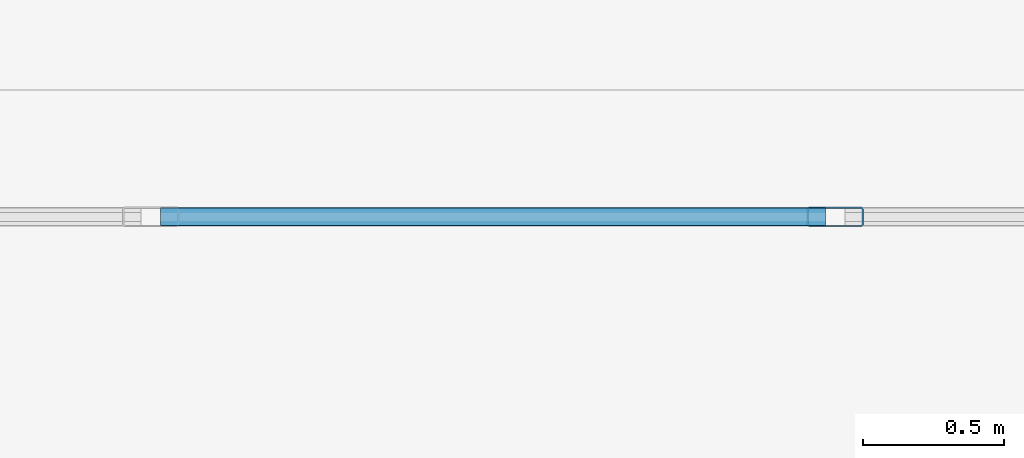
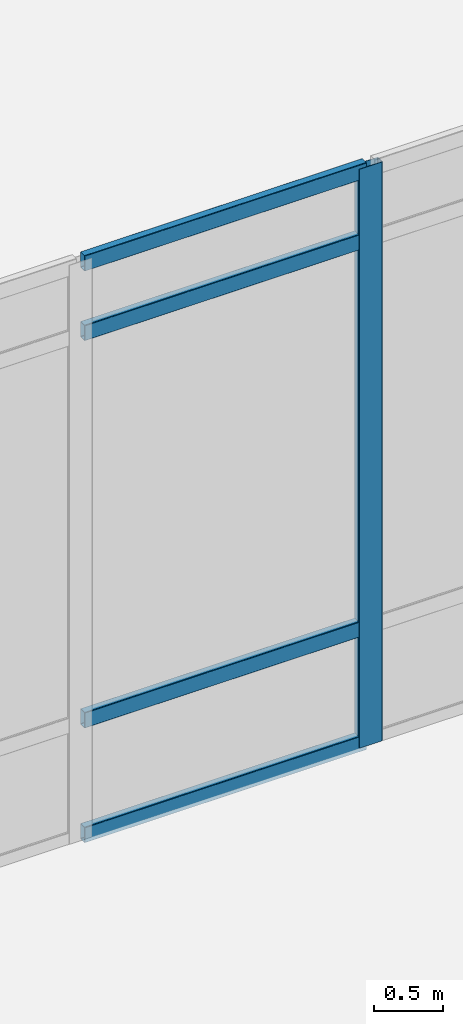
# One storey, part 57 of 165: 5 members, 1 element without a shape of its own.
"""IFC4 building model written with IfcOpenShell, lengths in metres."""

from ifc_helpers import new_model, si_unit, direction, frame, origin, origin_2d, place, context, subcontext, project, spatial, hollow_rectangle, extrude, material, layer, layer_set, material_profile, profile_set, type_object, element, aggregate, save


model = new_model("IFC4")

# Units and contexts
model_context = context("Model", 3, precision=1e-05, world=origin(), true_north=direction((0.0, 1.0)))
body_context = subcontext(model_context, "Body", "Model", "MODEL_VIEW")
ifc_project = project(units=[si_unit("LENGTHUNIT", "METRE"), si_unit("AREAUNIT", "SQUARE_METRE"), si_unit("VOLUMEUNIT", "CUBIC_METRE"), si_unit("PLANEANGLEUNIT", "RADIAN"), si_unit("MASSUNIT", "GRAM", prefix="KILO")], contexts=[model_context])

# Site, building, storey
site_placement = place(None, origin())
site = spatial("IfcSite", under=ifc_project, at=site_placement, CompositionType="ELEMENT")
building_placement = place(site_placement, origin())
building = spatial("IfcBuilding", under=site, at=building_placement, Name="Kazehara Bluff Congress Hotel", CompositionType="ELEMENT")
storey_placement = place(building_placement, origin())
storey = spatial("IfcBuildingStorey", under=building, at=storey_placement, Name="L00", CompositionType="ELEMENT", Elevation=0.0)

# Curtain wall, members
ifc_material_1 = material(Name="Anodised aluminium", Category="aluminium")
ifc_layer = layer(ifc_material_1, 0.159912109375)
ifc_layer_set = layer_set([ifc_layer], Name="Anodised aluminium")
curtain_wall_type = type_object("IfcCurtainWallType", Name="TP-CW-46", PredefinedType="NOTDEFINED", material=ifc_layer_set)
curtain_wall_placement = place(storey_placement, origin())
curtain_wall = element("IfcCurtainWall", 1, at=curtain_wall_placement, inside=storey, type_object=curtain_wall_type, Name="L00 curtain wall CW-46 CW-V5-L00-Y3955-11905", PredefinedType="NOTDEFINED")
ifc_material_2 = material(Name="Anodised aluminium", Category="aluminium")
ifc_material_profile_1 = material_profile(ifc_material_2, hollow_rectangle(XDim=0.070068359375, YDim=0.199951171875, WallThickness=0.0048828125, InnerFilletRadius=0.0048828125, OuterFilletRadius=0.010009765625, at=origin_2d()))
ifc_profile_set_1 = profile_set([ifc_material_profile_1], Name="Anodised aluminium")
member_type_1 = type_object("IfcMemberType", Name="TP-CWM-03", PredefinedType="MULLION", material=ifc_profile_set_1)
member_1_placement = place(storey_placement, frame((123.916748046875, 39.550048828125, 0.0), z_axis=(0.0, 0.0, 1.0), x_axis=(0.0, 1.0, 0.0)))
member_1 = element("IfcMember", 2, at=member_1_placement, type_object=member_type_1, Name="CW-46 mullion 3", PredefinedType="MULLION", context=body_context, shape_type="SweptSolid", body=[
    extrude(hollow_rectangle(XDim=0.070068359375, YDim=0.199951171875, WallThickness=0.0048828125, InnerFilletRadius=0.0048828125, OuterFilletRadius=0.010009765625, at=origin_2d()), origin(), (0.0, 0.0, 1.0), 5.135009765625),
])
ifc_material_3 = material(Name="Anodised aluminium", Category="aluminium")
ifc_material_profile_2 = material_profile(ifc_material_3, hollow_rectangle(XDim=0.06494140625, YDim=0.139892578125, WallThickness=0.00390625, InnerFilletRadius=0.00390625, OuterFilletRadius=0.008056640625, at=origin_2d()))
ifc_profile_set_2 = profile_set([ifc_material_profile_2], Name="Anodised aluminium")
member_type_2 = type_object("IfcMemberType", Name="TP-CWT-02", PredefinedType="USERDEFINED", material=ifc_profile_set_2)
member_2_placement = place(storey_placement, frame((121.518310546875, 39.550048828125, 0.032470703125), z_axis=(1.0, 0.0, 0.0), x_axis=(0.0, 1.0, 0.0)))
member_2 = element("IfcMember", 3, at=member_2_placement, type_object=member_type_2, Name="CW-46 transom 2.1", ObjectType="TRANSOM", PredefinedType="USERDEFINED", context=body_context, shape_type="SweptSolid", body=[
    extrude(hollow_rectangle(XDim=0.06494140625, YDim=0.139892578125, WallThickness=0.00390625, InnerFilletRadius=0.00390625, OuterFilletRadius=0.008056640625, at=origin_2d()), origin(), (0.0, 0.0, 1.0), 2.36328125),
])
member_3_placement = place(storey_placement, frame((121.518310546875, 39.550048828125, 1.050048828125), z_axis=(1.0, 0.0, 0.0), x_axis=(0.0, 1.0, 0.0)))
member_3 = element("IfcMember", 4, at=member_3_placement, type_object=member_type_2, Name="CW-46 transom 2.2", ObjectType="TRANSOM", PredefinedType="USERDEFINED", context=body_context, shape_type="SweptSolid", body=[
    extrude(hollow_rectangle(XDim=0.06494140625, YDim=0.139892578125, WallThickness=0.00390625, InnerFilletRadius=0.00390625, OuterFilletRadius=0.008056640625, at=origin_2d()), origin(), (0.0, 0.0, 1.0), 2.36328125),
])
member_4_placement = place(storey_placement, frame((121.518310546875, 39.550048828125, 4.485107421875), z_axis=(1.0, 0.0, 0.0), x_axis=(0.0, 1.0, 0.0)))
member_4 = element("IfcMember", 5, at=member_4_placement, type_object=member_type_2, Name="CW-46 transom 2.3", ObjectType="TRANSOM", PredefinedType="USERDEFINED", context=body_context, shape_type="SweptSolid", body=[
    extrude(hollow_rectangle(XDim=0.06494140625, YDim=0.139892578125, WallThickness=0.00390625, InnerFilletRadius=0.00390625, OuterFilletRadius=0.008056640625, at=origin_2d()), origin(), (0.0, 0.0, 1.0), 2.36328125),
])
member_5_placement = place(storey_placement, frame((121.518310546875, 39.550048828125, 5.1025390625), z_axis=(1.0, 0.0, 0.0), x_axis=(0.0, 1.0, 0.0)))
member_5 = element("IfcMember", 6, at=member_5_placement, type_object=member_type_2, Name="CW-46 transom 2.4", ObjectType="TRANSOM", PredefinedType="USERDEFINED", context=body_context, shape_type="SweptSolid", body=[
    extrude(hollow_rectangle(XDim=0.06494140625, YDim=0.139892578125, WallThickness=0.00390625, InnerFilletRadius=0.00390625, OuterFilletRadius=0.008056640625, at=origin_2d()), origin(), (0.0, 0.0, 1.0), 2.36328125),
])
aggregate(curtain_wall, [member_1, member_2, member_3, member_4, member_5])

save(model, "model.ifc")
